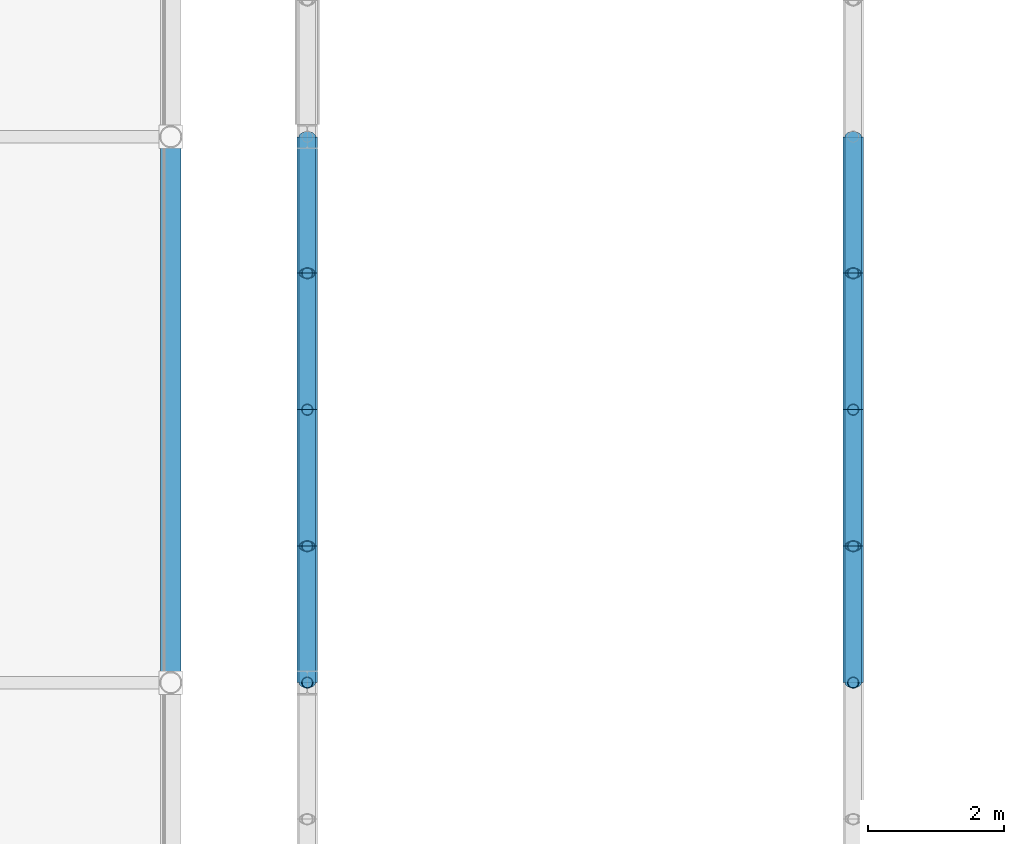
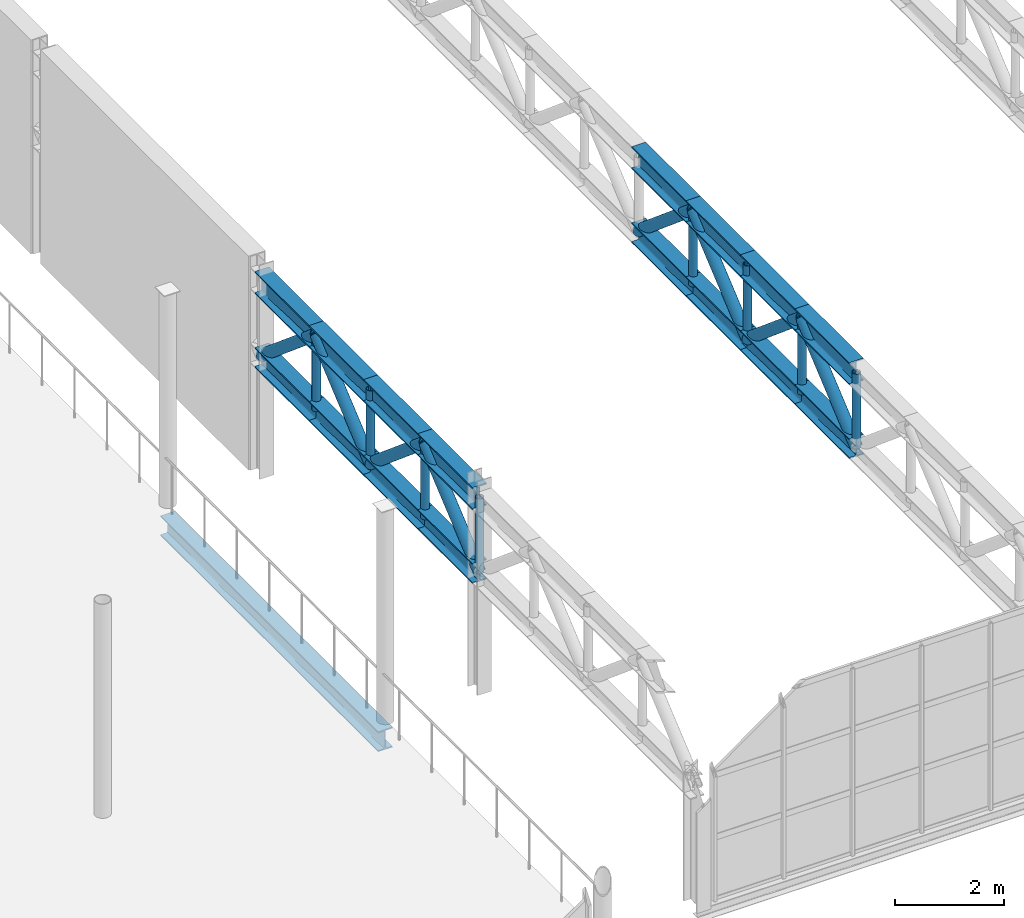
# One storey, part 39 of 143: 32 members, 1 beam.
"""IFC4 building model written with IfcOpenShell, lengths in metres."""

from ifc_helpers import new_model, si_unit, derived_unit, direction, frame, origin, origin_2d, place, context, subcontext, project, spatial, hollow_circle, i_section, extrude, material, material_profile, profile_set, type_object, element, save


model = new_model("IFC4")

# Units and contexts
model_context = context("Model", 3, precision=1e-05, world=origin(), true_north=direction((0.0, 1.0)))
body_context = subcontext(model_context, "Body", "Model", "MODEL_VIEW")
ifc_project = project(units=[si_unit("LENGTHUNIT", "METRE"), si_unit("AREAUNIT", "SQUARE_METRE"), si_unit("VOLUMEUNIT", "CUBIC_METRE"), si_unit("PLANEANGLEUNIT", "RADIAN"), si_unit("MASSUNIT", "GRAM", prefix="KILO"), derived_unit("THERMALTRANSMITTANCEUNIT", [(si_unit("POWERUNIT", "WATT"), 1), (si_unit("LENGTHUNIT", "METRE"), -2), (si_unit("THERMODYNAMICTEMPERATUREUNIT", "KELVIN"), -1)])], contexts=[model_context])

# Site, building, storey
site_placement = place(None, origin())
site = spatial("IfcSite", under=ifc_project, at=site_placement, CompositionType="ELEMENT")
building_placement = place(site_placement, origin())
building = spatial("IfcBuilding", under=site, at=building_placement, Name="Keldorne Ridge Multi-Sports Centre", CompositionType="ELEMENT")
storey_placement = place(building_placement, frame((0.0, 0.0, 4.800048828125)))
storey = spatial("IfcBuildingStorey", under=building, at=storey_placement, Name="L01", CompositionType="ELEMENT", Elevation=4.800048828125)

# Beam
ifc_material = material(Name="Steel S355", Category="steel")
ifc_material_profile_1 = material_profile(ifc_material, i_section(OverallWidth=0.300048828125, OverallDepth=0.449951171875, WebThickness=0.013916015625, FlangeThickness=0.02587890625, FilletRadius=0.027099609375, at=origin_2d()), Name="HEB 450")
ifc_profile_set_1 = profile_set([ifc_material_profile_1], Name="Steel S355")
beam_type = type_object("IfcBeamType", Name="BM-B-11", PredefinedType="BEAM", material=ifc_profile_set_1)
beam_placement = place(storey_placement, frame((102.0, 14.0, -0.445068359375), z_axis=(0.0, 1.0, 0.0), x_axis=(-1.0, 0.0, 0.0)))
element("IfcBeam", 1, at=beam_placement, inside=storey, type_object=beam_type, Name="L01 passage girder G15.2", PredefinedType="BEAM", context=body_context, shape_type="SweptSolid", body=[
    extrude(i_section(OverallWidth=0.300048828125, OverallDepth=0.449951171875, WebThickness=0.013916015625, FlangeThickness=0.02587890625, FilletRadius=0.027099609375, at=origin_2d()), origin(), (0.0, 0.0, 1.0), 8.0),
])

# Members
ifc_material_profile_2 = material_profile(ifc_material, i_section(OverallWidth=0.300048828125, OverallDepth=0.5, WebThickness=0.014404296875, FlangeThickness=0.028076171875, FilletRadius=0.027099609375, at=origin_2d()), Name="HEB 500")
ifc_profile_set_2 = profile_set([ifc_material_profile_2], Name="Steel S355")
member_type_1 = type_object("IfcMemberType", Name="MEM-TC-03", PredefinedType="CHORD", material=ifc_profile_set_2)
for number, where, z_axis, x_axis, name in (
    (2, (104.0, 14.0, 4.31005859375), (0.0, 1.0, 0.0), (-1.0, 0.0, 0.0), "Stacked Courts Warren TRUSS WT-L02-01 top chord 5"),
    (3, (104.0, 16.0, 4.31005859375), (0.0, 1.0, 0.0), (-1.0, 0.0, 0.0), "Stacked Courts Warren TRUSS WT-L02-01 top chord 6"),
    (4, (104.0, 18.0, 4.31005859375), (0.0, 1.0, 0.0), (-1.0, 0.0, 0.0), "Stacked Courts Warren TRUSS WT-L02-01 top chord 7"),
    (5, (104.0, 20.0, 4.31005859375), (0.0, 1.0, 0.0), (-1.0, 0.0, 0.0), "Stacked Courts Warren TRUSS WT-L02-01 top chord 8"),
    (6, (112.0, 14.0, 4.31005859375), (0.0, 1.0, 0.0), (-1.0, 0.0, 0.0), "Stacked Courts Warren TRUSS WT-L02-02 top chord 5"),
    (7, (112.0, 16.0, 4.31005859375), (0.0, 1.0, 0.0), (-1.0, 0.0, 0.0), "Stacked Courts Warren TRUSS WT-L02-02 top chord 6"),
    (8, (112.0, 18.0, 4.31005859375), (0.0, 1.0, 0.0), (-1.0, 0.0, 0.0), "Stacked Courts Warren TRUSS WT-L02-02 top chord 7"),
    (9, (112.0, 20.0, 4.31005859375), (0.0, 1.0, 0.0), (-1.0, 0.0, 0.0), "Stacked Courts Warren TRUSS WT-L02-02 top chord 8"),
):
    element("IfcMember", number, at=place(storey_placement, frame(where, z_axis=z_axis, x_axis=x_axis)), inside=storey, type_object=member_type_1, Name=name, PredefinedType="CHORD", context=body_context, shape_type="SweptSolid", body=[
        extrude(i_section(OverallWidth=0.300048828125, OverallDepth=0.5, WebThickness=0.014404296875, FlangeThickness=0.028076171875, FilletRadius=0.027099609375, at=origin_2d()), origin(), (0.0, 0.0, 1.0), 2.0),
    ])
ifc_material_profile_3 = material_profile(ifc_material, i_section(OverallWidth=0.300048828125, OverallDepth=0.449951171875, WebThickness=0.013916015625, FlangeThickness=0.02587890625, FilletRadius=0.027099609375, at=origin_2d()), Name="HEB 450")
ifc_profile_set_3 = profile_set([ifc_material_profile_3], Name="Steel S355")
member_type_2 = type_object("IfcMemberType", Name="MEM-TC-04", PredefinedType="CHORD", material=ifc_profile_set_3)
for number, where, z_axis, x_axis, name in (
    (10, (104.0, 14.0, 2.6298828125), (0.0, 1.0, 0.0), (-1.0, 0.0, 0.0), "Stacked Courts Warren TRUSS WT-L02-01 bottom chord 5"),
    (11, (104.0, 16.0, 2.6298828125), (0.0, 1.0, 0.0), (-1.0, 0.0, 0.0), "Stacked Courts Warren TRUSS WT-L02-01 bottom chord 6"),
    (12, (104.0, 18.0, 2.6298828125), (0.0, 1.0, 0.0), (-1.0, 0.0, 0.0), "Stacked Courts Warren TRUSS WT-L02-01 bottom chord 7"),
    (13, (104.0, 20.0, 2.6298828125), (0.0, 1.0, 0.0), (-1.0, 0.0, 0.0), "Stacked Courts Warren TRUSS WT-L02-01 bottom chord 8"),
    (14, (112.0, 14.0, 2.6298828125), (0.0, 1.0, 0.0), (-1.0, 0.0, 0.0), "Stacked Courts Warren TRUSS WT-L02-02 bottom chord 5"),
    (15, (112.0, 16.0, 2.6298828125), (0.0, 1.0, 0.0), (-1.0, 0.0, 0.0), "Stacked Courts Warren TRUSS WT-L02-02 bottom chord 6"),
    (16, (112.0, 18.0, 2.6298828125), (0.0, 1.0, 0.0), (-1.0, 0.0, 0.0), "Stacked Courts Warren TRUSS WT-L02-02 bottom chord 7"),
    (17, (112.0, 20.0, 2.6298828125), (0.0, 1.0, 0.0), (-1.0, 0.0, 0.0), "Stacked Courts Warren TRUSS WT-L02-02 bottom chord 8"),
):
    element("IfcMember", number, at=place(storey_placement, frame(where, z_axis=z_axis, x_axis=x_axis)), inside=storey, type_object=member_type_2, Name=name, PredefinedType="CHORD", context=body_context, shape_type="SweptSolid", body=[
        extrude(i_section(OverallWidth=0.300048828125, OverallDepth=0.449951171875, WebThickness=0.013916015625, FlangeThickness=0.02587890625, FilletRadius=0.027099609375, at=origin_2d()), origin(), (0.0, 0.0, 1.0), 2.0),
    ])
ifc_material_profile_4 = material_profile(ifc_material, hollow_circle(Radius=0.122314453125, WallThickness=0.012451171875, at=origin_2d()), Name="CHS 244.5x12.5")
ifc_profile_set_4 = profile_set([ifc_material_profile_4], Name="Steel S355")
member_type_3 = type_object("IfcMemberType", Name="MEM-TD-02", PredefinedType="BRACE", material=ifc_profile_set_4)
for number, where, z_axis, x_axis, name in (
    (18, (104.0, 14.0, 2.6298828125), (0.0, 0.765671721121, 0.643231541108), (-1.0, 0.0, 0.0), "Stacked Courts Warren TRUSS WT-L02-01 diagonal 5"),
    (19, (104.0, 16.0, 4.31005859375), (0.0, 0.765671721121, -0.643231541108), (-1.0, 0.0, 0.0), "Stacked Courts Warren TRUSS WT-L02-01 diagonal 6"),
    (20, (104.0, 18.0, 2.6298828125), (0.0, 0.765671721121, 0.643231541108), (-1.0, 0.0, 0.0), "Stacked Courts Warren TRUSS WT-L02-01 diagonal 7"),
    (21, (104.0, 20.0, 4.31005859375), (0.0, 0.765671721121, -0.643231541108), (-1.0, 0.0, 0.0), "Stacked Courts Warren TRUSS WT-L02-01 diagonal 8"),
    (22, (112.0, 14.0, 2.6298828125), (0.0, 0.765671721121, 0.643231541108), (-1.0, 0.0, 0.0), "Stacked Courts Warren TRUSS WT-L02-02 diagonal 5"),
    (23, (112.0, 16.0, 4.31005859375), (0.0, 0.765671721121, -0.643231541108), (-1.0, 0.0, 0.0), "Stacked Courts Warren TRUSS WT-L02-02 diagonal 6"),
    (24, (112.0, 18.0, 2.6298828125), (0.0, 0.765671721121, 0.643231541108), (-1.0, 0.0, 0.0), "Stacked Courts Warren TRUSS WT-L02-02 diagonal 7"),
    (25, (112.0, 20.0, 4.31005859375), (0.0, 0.765671721121, -0.643231541108), (-1.0, 0.0, 0.0), "Stacked Courts Warren TRUSS WT-L02-02 diagonal 8"),
):
    element("IfcMember", number, at=place(storey_placement, frame(where, z_axis=z_axis, x_axis=x_axis)), inside=storey, type_object=member_type_3, Name=name, PredefinedType="BRACE", context=body_context, shape_type="SweptSolid", body=[
        extrude(hollow_circle(Radius=0.122314453125, WallThickness=0.012451171875, at=origin_2d()), origin(), (0.0, 0.0, 1.0), 2.612060546875),
    ])
ifc_material_profile_5 = material_profile(ifc_material, hollow_circle(Radius=0.084228515625, WallThickness=0.010009765625, at=origin_2d()), Name="CHS 168.3x10")
ifc_profile_set_5 = profile_set([ifc_material_profile_5], Name="Steel S355")
member_type_4 = type_object("IfcMemberType", Name="MEM-TV-01", PredefinedType="STRUT", material=ifc_profile_set_5)
for number, where, z_axis, x_axis, name in (
    (26, (104.0, 14.0, 2.6298828125), (0.0, 0.0, 1.0), (1.0, 0.0, 0.0), "Stacked Courts Warren TRUSS WT-L02-01 post 5"),
    (27, (104.0, 16.0, 2.6298828125), (0.0, 0.0, 1.0), (1.0, 0.0, 0.0), "Stacked Courts Warren TRUSS WT-L02-01 post 6"),
    (28, (104.0, 18.0, 2.6298828125), (0.0, 0.0, 1.0), (1.0, 0.0, 0.0), "Stacked Courts Warren TRUSS WT-L02-01 post 7"),
    (29, (104.0, 20.0, 2.6298828125), (0.0, 0.0, 1.0), (1.0, 0.0, 0.0), "Stacked Courts Warren TRUSS WT-L02-01 post 8"),
    (30, (112.0, 14.0, 2.6298828125), (0.0, 0.0, 1.0), (1.0, 0.0, 0.0), "Stacked Courts Warren TRUSS WT-L02-02 post 5"),
    (31, (112.0, 16.0, 2.6298828125), (0.0, 0.0, 1.0), (1.0, 0.0, 0.0), "Stacked Courts Warren TRUSS WT-L02-02 post 6"),
    (32, (112.0, 18.0, 2.6298828125), (0.0, 0.0, 1.0), (1.0, 0.0, 0.0), "Stacked Courts Warren TRUSS WT-L02-02 post 7"),
    (33, (112.0, 20.0, 2.6298828125), (0.0, 0.0, 1.0), (1.0, 0.0, 0.0), "Stacked Courts Warren TRUSS WT-L02-02 post 8"),
):
    element("IfcMember", number, at=place(storey_placement, frame(where, z_axis=z_axis, x_axis=x_axis)), inside=storey, type_object=member_type_4, Name=name, PredefinedType="STRUT", context=body_context, shape_type="SweptSolid", body=[
        extrude(hollow_circle(Radius=0.084228515625, WallThickness=0.010009765625, at=origin_2d()), origin(), (0.0, 0.0, 1.0), 1.68017578125),
    ])

save(model, "model.ifc")
